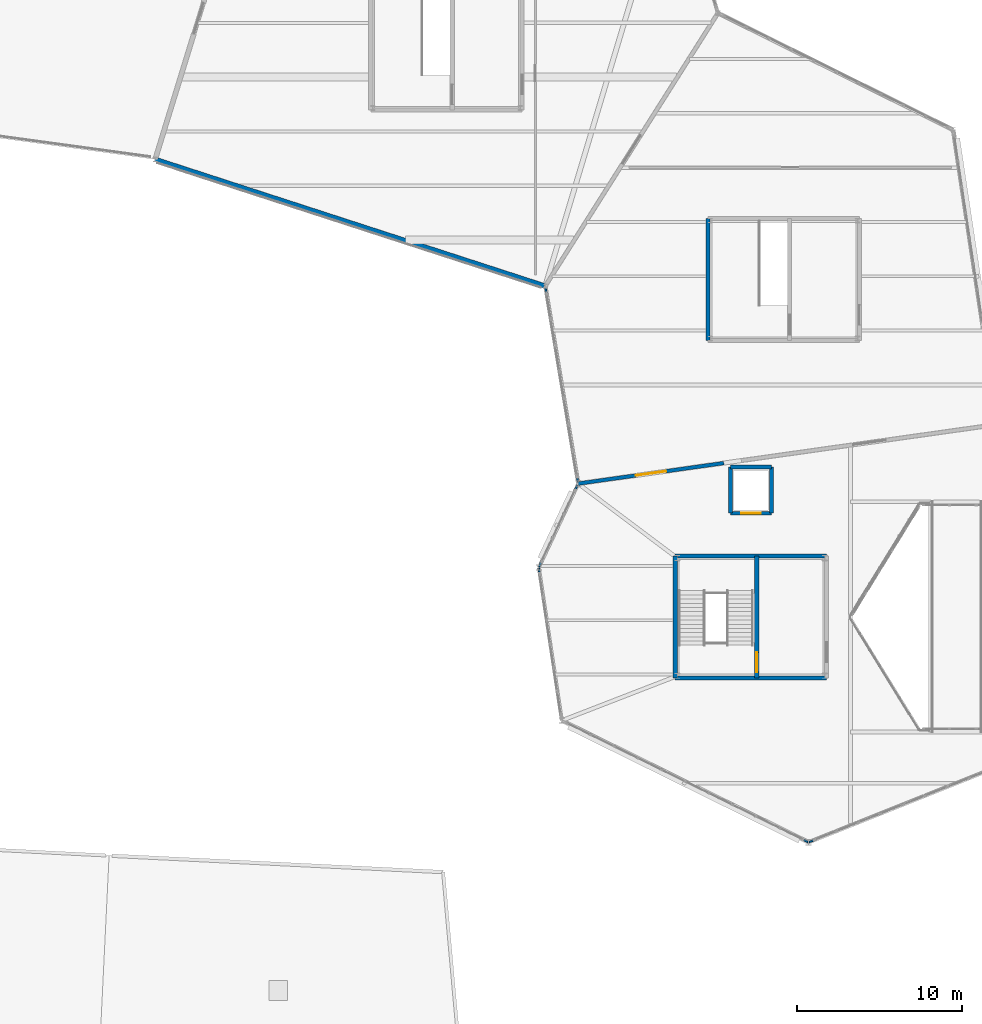
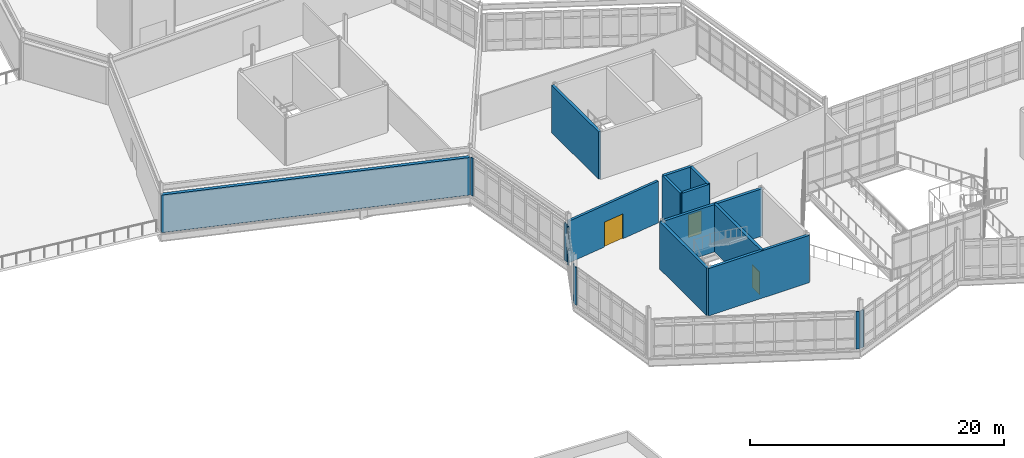
# One storey, part 58 of 76: 18 walls, 3 doors, 3 openings.
"""IFC4 building model written with IfcOpenShell, lengths in metres."""

from ifc_helpers import new_model, si_unit, direction, frame, frame_2d, origin, place, context, subcontext, project, spatial, rectangle, extrude, material, layer, layer_set, type_object, element, fill, save


model = new_model("IFC4")

# Units and contexts
model_context = context("Model", 3, precision=1e-05, world=origin(), true_north=direction((0.0, 1.0)))
body_context = subcontext(model_context, "Body", "Model", "MODEL_VIEW")
ifc_project = project(units=[si_unit("LENGTHUNIT", "METRE"), si_unit("AREAUNIT", "SQUARE_METRE"), si_unit("VOLUMEUNIT", "CUBIC_METRE"), si_unit("PLANEANGLEUNIT", "RADIAN"), si_unit("MASSUNIT", "GRAM", prefix="KILO")], contexts=[model_context])

# Site, building, storey
site_placement = place(None, origin())
site = spatial("IfcSite", under=ifc_project, at=site_placement, CompositionType="ELEMENT")
building_placement = place(site_placement, origin())
building = spatial("IfcBuilding", under=site, at=building_placement, Name="Tameran Prism Museum", CompositionType="ELEMENT")
storey_placement = place(building_placement, frame((0.0, 0.0, 15.0)))
storey = spatial("IfcBuildingStorey", under=building, at=storey_placement, Name="L03", CompositionType="ELEMENT", Elevation=15.0)

# Walls
ifc_material_1 = material(Name="Precast Concrete N40 (40 MPa)", Category="concrete")
ifc_layer_1 = layer(ifc_material_1, 0.094970703125)
ifc_layer_set_1 = layer_set([ifc_layer_1])
wall_type_1 = type_object("IfcWallType", Name="EW-CLOS-095", PredefinedType="SOLIDWALL", material=ifc_layer_set_1)
wall_1_placement = place(storey_placement, frame((49.652099609375, 39.154052734375, 0.0), z_axis=(0.0, 0.0, 1.0), x_axis=(-0.15008766182, 0.988672692942, 0.0)))
element("IfcWall", 1, at=wall_1_placement, inside=storey, type_object=wall_type_1, Name="Facade Corner Closure EW-0376", PredefinedType="SOLIDWALL", context=body_context, shape_type="SweptSolid", body=[
    extrude(rectangle(XDim=0.307373046875, YDim=0.094970703125, at=frame_2d((0.15380859375, 0.0))), origin(), (0.0, 0.0, 1.0), 3.6201171875),
])
wall_2_placement = place(storey_placement, frame((65.9619140625, 22.819091796875, 0.0), z_axis=(0.0, 0.0, 1.0), x_axis=(-0.896952807524, 0.44212629539, 0.0)))
element("IfcWall", 2, at=wall_2_placement, inside=storey, type_object=wall_type_1, Name="Facade Corner Closure EW-0377", PredefinedType="SOLIDWALL", context=body_context, shape_type="SweptSolid", body=[
    extrude(rectangle(XDim=0.3076171875, YDim=0.094970703125, at=frame_2d((0.15380859375, 0.0))), origin(), (0.0, 0.0, 1.0), 3.6201171875),
])
wall_3_placement = place(storey_placement, frame((66.324951171875, 22.929931640625, 0.0), z_axis=(0.0, 0.0, 1.0), x_axis=(-0.928859130521, -0.370433145989, 0.0)))
element("IfcWall", 3, at=wall_3_placement, inside=storey, type_object=wall_type_1, Name="Facade Corner Closure EW-0380", PredefinedType="SOLIDWALL", context=body_context, shape_type="SweptSolid", body=[
    extrude(rectangle(XDim=0.307861328125, YDim=0.094970703125, at=frame_2d((0.15380859375, 0.0))), origin(), (0.0, 0.0, 1.0), 3.6201171875),
])
wall_4_placement = place(storey_placement, frame((49.617919921875, 39.5380859375, 0.0), z_axis=(0.0, 0.0, 1.0), x_axis=(0.425529884469, 0.904944372558, 0.0)))
element("IfcWall", 4, at=wall_4_placement, inside=storey, type_object=wall_type_1, Name="Facade Corner Closure EW-0381", PredefinedType="SOLIDWALL", context=body_context, shape_type="SweptSolid", body=[
    extrude(rectangle(XDim=0.30810546875, YDim=0.094970703125, at=frame_2d((0.154052734375, 0.0))), origin(), (0.0, 0.0, 1.0), 3.6201171875),
])
wall_5_placement = place(storey_placement, frame((51.824951171875, 44.22900390625, 0.0), z_axis=(0.0, 0.0, 1.0), x_axis=(0.425224932958, 0.905087706463, 0.0)))
element("IfcWall", 5, at=wall_5_placement, inside=storey, type_object=wall_type_1, Name="Facade Corner Closure EW-0382", PredefinedType="SOLIDWALL", context=body_context, shape_type="SweptSolid", body=[
    extrude(rectangle(XDim=0.308349609375, YDim=0.094970703125, at=frame_2d((0.154296875, 0.0))), origin(), (0.0, 0.0, 1.0), 3.6201171875),
])
for number, where, z_axis, x_axis, name in (
    (6, (51.98291015625, 44.699951171875, 0.0), (0.0, 0.0, 1.0), (-0.165554954509, 0.986200566334, 0.0), "Facade Corner Closure EW-0391"),
    (7, (50.068115234375, 56.196044921875, 0.0), (0.0, 0.0, 1.0), (-0.165554954509, 0.986200566334, 0.0), "Facade Corner Closure EW-0392"),
):
    element("IfcWall", number, at=place(storey_placement, frame(where, z_axis=z_axis, x_axis=x_axis)), inside=storey, type_object=wall_type_1, Name=name, PredefinedType="SOLIDWALL", context=body_context, shape_type="SweptSolid", body=[
        extrude(rectangle(XDim=0.30810546875, YDim=0.094970703125, at=frame_2d((0.154052734375, 0.0))), origin(), (0.0, 0.0, 1.0), 3.6201171875),
    ])
ifc_material_2 = material(Name="Precast Concrete N40 (40 MPa)", Category="concrete")
ifc_layer_2 = layer(ifc_material_2, 0.2900390625)
ifc_layer_set_2 = layer_set([ifc_layer_2])
wall_type_2 = type_object("IfcWallType", Name="EW-FOY-290", PredefinedType="SOLIDWALL", material=ifc_layer_set_2)
wall_6_placement = place(storey_placement, frame((49.943115234375, 56.618896484375, 0.0), z_axis=(0.0, 0.0, 1.0), x_axis=(-0.951067694824, 0.308982588283, 0.0)))
element("IfcWall", 8, at=wall_6_placement, inside=storey, type_object=wall_type_2, Name="Exterior Fluted Precast Wall EW-0413", PredefinedType="SOLIDWALL", context=body_context, shape_type="SweptSolid", body=[
    extrude(rectangle(XDim=24.859619140625, YDim=0.2900390625, at=frame_2d((12.4296875, 0.0))), origin(), (0.0, 0.0, 1.0), 3.6201171875),
])

# Wall, opening, door
ifc_material_3 = material(Name="Concrete N40 (40 MPa)", Category="concrete")
ifc_layer_3 = layer(ifc_material_3, 0.22509765625)
ifc_layer_set_3 = layer_set([ifc_layer_3])
wall_type_3 = type_object("IfcWallType", Name="IW-CMP-225", PredefinedType="SOLIDWALL", material=ifc_layer_set_3)
wall_7_placement = place(storey_placement, frame((60.85009765625, 45.84912109375, 0.0), z_axis=(0.0, 0.0, 1.0), x_axis=(-0.990187360524, -0.139746166523, 0.0)))
wall_7 = element("IfcWall", 9, at=wall_7_placement, inside=storey, type_object=wall_type_3, Name="Compartment Wall IW-0141", PredefinedType="SOLIDWALL", context=body_context, shape_type="SweptSolid", body=[
    extrude(rectangle(XDim=8.937744140625, YDim=0.22509765625, at=frame_2d((4.46875, 0.0))), origin(), (0.0, 0.0, 1.0), 4.02001953125),
])
opening_1_placement = place(wall_7_placement, frame((3.5439453125, 0.0, 0.0)))
opening_1 = element("IfcOpeningElement", 10, at=opening_1_placement, cuts=wall_7, Name="Opening ID-0140", PredefinedType="OPENING", context=body_context, shape_type="SweptSolid", body=[
    extrude(rectangle(XDim=1.85009765625, YDim=2.39990234375, at=frame_2d((0.925048828125, 1.199951171875))), frame((0.0, 0.12255859375, 0.0), z_axis=(0.0, -1.0, 0.0), x_axis=(1.0, 0.0, 0.0)), (0.0, 0.0, 1.0), 0.2451171875),
])
ifc_material_4 = material(Name="Fire-Rated Steel Door Leaf and Frame", Category="steel")
door_type_1 = type_object("IfcDoorType", Name="DR-GAL-185", OperationType="DOUBLE_DOOR_SINGLE_SWING", PredefinedType="DOOR", material=ifc_material_4)
door_1_placement = place(opening_1_placement, origin())
door_1 = element("IfcDoor", 11, at=door_1_placement, inside=storey, type_object=door_type_1, Name="Compartment Door ID-0140", OperationType="DOUBLE_DOOR_SINGLE_SWING", OverallHeight=2.39990234375, OverallWidth=1.85009765625, PredefinedType="DOOR", context=body_context, shape_type="SweptSolid", body=[
    extrude(rectangle(XDim=1.85009765625, YDim=2.39990234375, at=frame_2d((0.925048828125, 1.199951171875))), frame((0.0, 0.02490234375, 0.0), z_axis=(0.0, -1.0, 0.0), x_axis=(1.0, 0.0, 0.0)), (0.0, 0.0, 1.0), 0.050048828125),
])
fill(opening_1, door_1)

# Walls
ifc_material_5 = material(Name="Concrete N40 (40 MPa)", Category="concrete")
ifc_layer_4 = layer(ifc_material_5, 0.25)
ifc_layer_set_4 = layer_set([ifc_layer_4])
wall_type_4 = type_object("IfcWallType", Name="IW-COR-250", PredefinedType="SHEAR", material=ifc_layer_set_4)
wall_8_placement = place(storey_placement, frame((57.89990234375, 32.800048828125, 0.0), z_axis=(0.0, 0.0, 1.0), x_axis=(0.0, 1.0, 0.0)))
element("IfcWall", 12, at=wall_8_placement, inside=storey, type_object=wall_type_4, Name="Core Shear Wall CW-3-L03-W", PredefinedType="SHEAR", context=body_context, shape_type="SweptSolid", body=[
    extrude(rectangle(XDim=7.39990234375, YDim=0.25, at=frame_2d((3.699951171875, 0.0))), origin(), (0.0, 0.0, 1.0), 4.56005859375),
])
for number, where, z_axis, x_axis, name in (
    (13, (57.89990234375, 40.199951171875, 0.0), (0.0, 0.0, 1.0), (1.0, 0.0, 0.0), "Core Shear Wall CW-3-L03-N"),
    (14, (67.10009765625, 32.800048828125, 0.0), (0.0, 0.0, 1.0), (-1.0, 0.0, 0.0), "Core Shear Wall CW-3-L03-S"),
):
    element("IfcWall", number, at=place(storey_placement, frame(where, z_axis=z_axis, x_axis=x_axis)), inside=storey, type_object=wall_type_4, Name=name, PredefinedType="SHEAR", context=body_context, shape_type="SweptSolid", body=[
        extrude(rectangle(XDim=9.2001953125, YDim=0.25, at=frame_2d((4.60009765625, 0.0))), origin(), (0.0, 0.0, 1.0), 4.56005859375),
    ])

# Wall, opening, door
wall_9_placement = place(storey_placement, frame((62.85009765625, 40.199951171875, 0.0), z_axis=(0.0, 0.0, 1.0), x_axis=(0.0, -1.0, 0.0)))
wall_9 = element("IfcWall", 15, at=wall_9_placement, inside=storey, type_object=wall_type_4, Name="Core Shear Wall CW-3-L03-M", PredefinedType="SHEAR", context=body_context, shape_type="SweptSolid", body=[
    extrude(rectangle(XDim=7.39990234375, YDim=0.25, at=frame_2d((3.699951171875, 0.0))), origin(), (0.0, 0.0, 1.0), 4.56005859375),
])
opening_2_placement = place(wall_9_placement, frame((5.85009765625, 0.0, 0.0)))
opening_2 = element("IfcOpeningElement", 16, at=opening_2_placement, cuts=wall_9, Name="Opening FD-0220", PredefinedType="OPENING", context=body_context, shape_type="SweptSolid", body=[
    extrude(rectangle(XDim=1.199951171875, YDim=2.199951171875, at=frame_2d((0.60009765625, 1.10009765625))), frame((0.0, 0.135009765625, 0.0), z_axis=(0.0, -1.0, 0.0), x_axis=(1.0, 0.0, 0.0)), (0.0, 0.0, 1.0), 0.27001953125),
])
ifc_material_6 = material(Name="Fire-Rated Steel Door Leaf and Frame", Category="steel")
door_type_2 = type_object("IfcDoorType", Name="DR-FD-120A", OperationType="NOTDEFINED", PredefinedType="DOOR", material=ifc_material_6)
door_2_placement = place(opening_2_placement, origin())
door_2 = element("IfcDoor", 17, at=door_2_placement, inside=storey, type_object=door_type_2, Name="Core Fire Door FD-0220", OperationType="SINGLE_SWING_RIGHT", OverallHeight=2.199951171875, OverallWidth=1.199951171875, PredefinedType="DOOR", context=body_context, shape_type="SweptSolid", body=[
    extrude(rectangle(XDim=1.199951171875, YDim=2.199951171875, at=frame_2d((0.60009765625, 1.10009765625))), frame((0.0, 0.02490234375, 0.0), z_axis=(0.0, -1.0, 0.0), x_axis=(1.0, 0.0, 0.0)), (0.0, 0.0, 1.0), 0.050048828125),
])
fill(opening_2, door_2)

# Walls
wall_10_placement = place(storey_placement, frame((59.89990234375, 53.300048828125, 0.0), z_axis=(0.0, 0.0, 1.0), x_axis=(0.0, 1.0, 0.0)))
element("IfcWall", 18, at=wall_10_placement, inside=storey, type_object=wall_type_4, Name="Core Shear Wall CW-8-L03-W", PredefinedType="SHEAR", context=body_context, shape_type="SweptSolid", body=[
    extrude(rectangle(XDim=7.39990234375, YDim=0.25, at=frame_2d((3.699951171875, 0.0))), origin(), (0.0, 0.0, 1.0), 4.56005859375),
])
ifc_material_7 = material(Name="Concrete N40 (40 MPa)", Category="concrete")
ifc_layer_5 = layer(ifc_material_7, 0.239990234375)
ifc_layer_set_5 = layer_set([ifc_layer_5])
wall_type_5 = type_object("IfcWallType", Name="IW-LFT-240", PredefinedType="SHEAR", material=ifc_layer_set_5)
wall_11_placement = place(storey_placement, frame((61.25, 45.60009765625, 0.0), z_axis=(0.0, 0.0, 1.0), x_axis=(1.0, 0.0, 0.0)))
element("IfcWall", 19, at=wall_11_placement, inside=storey, type_object=wall_type_5, Name="Lift Shaft Wall LW-PL01-L03N", PredefinedType="SHEAR", context=body_context, shape_type="SweptSolid", body=[
    extrude(rectangle(XDim=2.5, YDim=0.239990234375, at=frame_2d((1.25, 0.0))), origin(), (0.0, 0.0, 1.0), 4.56005859375),
])
for number, where, z_axis, x_axis, name in (
    (20, (63.75, 45.60009765625, 0.0), (0.0, 0.0, 1.0), (0.0, -1.0, 0.0), "Lift Shaft Wall LW-PL01-L03E"),
    (21, (61.25, 42.800048828125, 0.0), (0.0, 0.0, 1.0), (0.0, 1.0, 0.0), "Lift Shaft Wall LW-PL01-L03W"),
):
    element("IfcWall", number, at=place(storey_placement, frame(where, z_axis=z_axis, x_axis=x_axis)), inside=storey, type_object=wall_type_5, Name=name, PredefinedType="SHEAR", context=body_context, shape_type="SweptSolid", body=[
        extrude(rectangle(XDim=2.800048828125, YDim=0.239990234375, at=frame_2d((1.39990234375, 0.0))), origin(), (0.0, 0.0, 1.0), 4.56005859375),
    ])

# Wall, opening, door
wall_12_placement = place(storey_placement, frame((63.75, 42.800048828125, 0.0), z_axis=(0.0, 0.0, 1.0), x_axis=(-1.0, 0.0, 0.0)))
wall_12 = element("IfcWall", 22, at=wall_12_placement, inside=storey, type_object=wall_type_5, Name="Lift Shaft Wall LW-PL01-L03S", PredefinedType="SHEAR", context=body_context, shape_type="SweptSolid", body=[
    extrude(rectangle(XDim=2.5, YDim=0.239990234375, at=frame_2d((1.25, 0.0))), origin(), (0.0, 0.0, 1.0), 4.56005859375),
])
opening_3_placement = place(wall_12_placement, frame((0.64990234375, 0.0, 0.0)))
opening_3 = element("IfcOpeningElement", 23, at=opening_3_placement, cuts=wall_12, Name="Opening LD-PL01-L03", PredefinedType="OPENING", context=body_context, shape_type="SweptSolid", body=[
    extrude(rectangle(XDim=1.199951171875, YDim=2.199951171875, at=frame_2d((0.60009765625, 1.10009765625))), frame((0.0, 0.1298828125, 0.0), z_axis=(0.0, -1.0, 0.0), x_axis=(1.0, 0.0, 0.0)), (0.0, 0.0, 1.0), 0.260009765625),
])
ifc_material_8 = material(Name="Fire-Rated Steel Door Leaf and Frame", Category="steel")
door_type_3 = type_object("IfcDoorType", Name="DR-LD-PL1", OperationType="SLIDING_TO_LEFT", PredefinedType="DOOR", material=ifc_material_8)
door_3_placement = place(opening_3_placement, origin())
door_3 = element("IfcDoor", 24, at=door_3_placement, inside=storey, type_object=door_type_3, Name="Passenger Lift PL-01 Landing Door L03", OperationType="SLIDING_TO_LEFT", OverallHeight=2.199951171875, OverallWidth=1.199951171875, PredefinedType="DOOR", context=body_context, shape_type="SweptSolid", body=[
    extrude(rectangle(XDim=1.199951171875, YDim=2.199951171875, at=frame_2d((0.60009765625, 1.10009765625))), frame((0.0, 0.02490234375, 0.0), z_axis=(0.0, -1.0, 0.0), x_axis=(1.0, 0.0, 0.0)), (0.0, 0.0, 1.0), 0.050048828125),
])
fill(opening_3, door_3)

save(model, "model.ifc")
